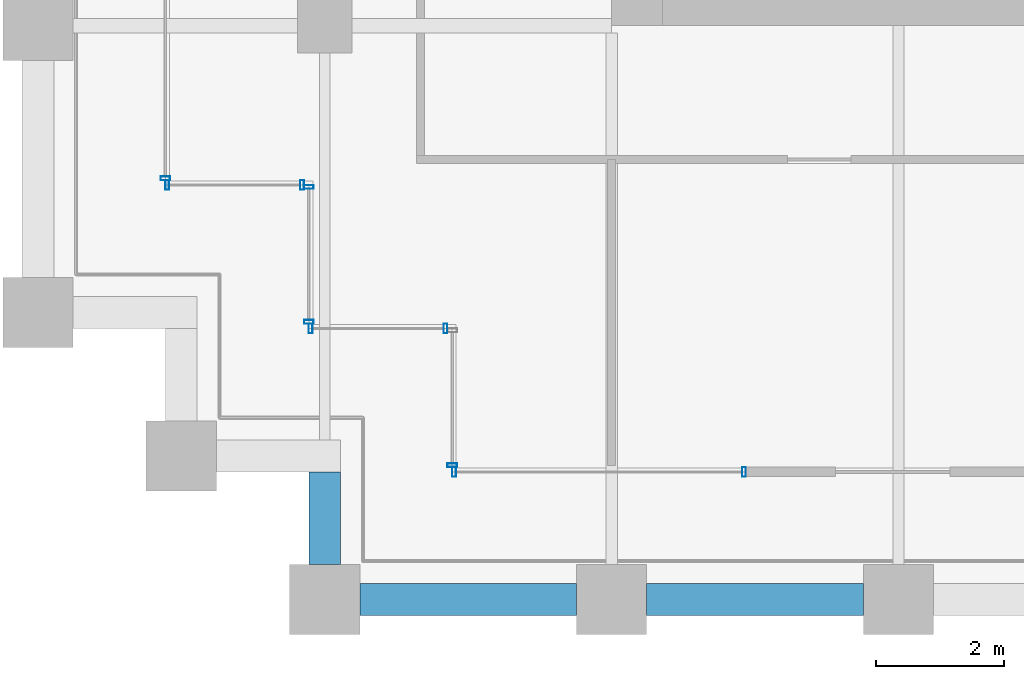
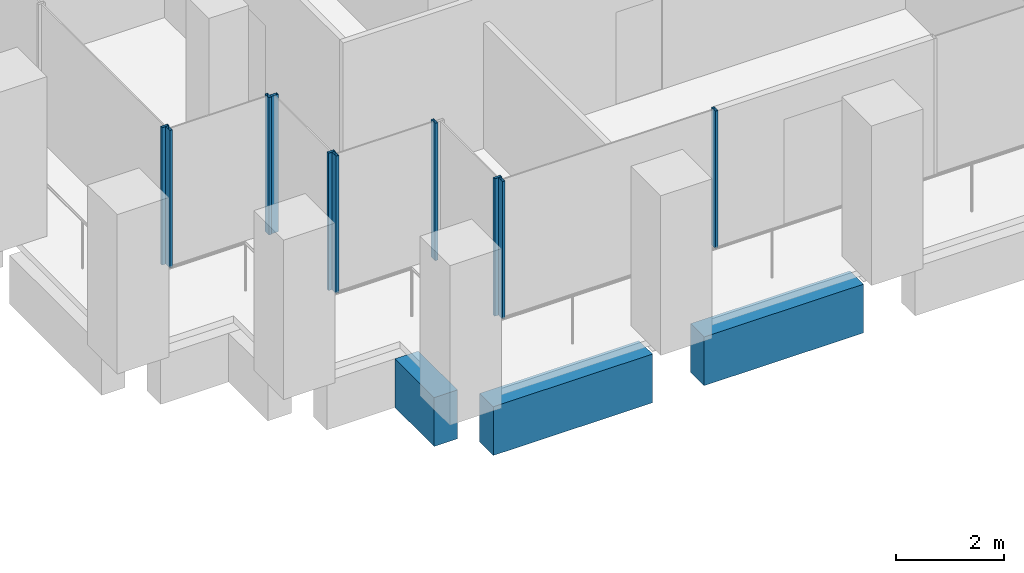
# One storey, part 34 of 56: 10 members, 3 beams, 6 elements without a shape of their own.
"""IFC4 building model written with IfcOpenShell, lengths in metres."""

from ifc_helpers import new_model, si_unit, direction, frame, origin, origin_2d, place, context, subcontext, project, spatial, rectangle, hollow_rectangle, extrude, material, material_profile, profile_set, type_object, element, aggregate, save


model = new_model("IFC4")

# Units and contexts
model_context = context("Model", 3, precision=1e-05, world=origin(), true_north=direction((0.0, 1.0)))
body_context = subcontext(model_context, "Body", "Model", "MODEL_VIEW")
ifc_project = project(units=[si_unit("LENGTHUNIT", "METRE"), si_unit("AREAUNIT", "SQUARE_METRE"), si_unit("VOLUMEUNIT", "CUBIC_METRE"), si_unit("PLANEANGLEUNIT", "RADIAN"), si_unit("MASSUNIT", "GRAM", prefix="KILO")], contexts=[model_context])

# Site, building, storey
site_placement = place(None, origin())
site = spatial("IfcSite", under=ifc_project, at=site_placement, CompositionType="ELEMENT")
building_placement = place(site_placement, origin())
building = spatial("IfcBuilding", under=site, at=building_placement, Name="Altepetl Exchange Towers", CompositionType="ELEMENT")
storey_placement = place(building_placement, frame((0.0, 0.0, 69.0)))
storey = spatial("IfcBuildingStorey", under=building, at=storey_placement, Name="L16", CompositionType="ELEMENT", Elevation=69.0)

# Curtain wall, member
ifc_material_1 = material(Name="Aluminium 6063-T6 glazing", Category="aluminium")
curtain_wall_type = type_object("IfcCurtainWallType", Name="Loggia glazing system", PredefinedType="NOTDEFINED", material=ifc_material_1)
curtain_wall_1_placement = place(storey_placement, origin())
curtain_wall_1 = element("IfcCurtainWall", 1, at=curtain_wall_1_placement, inside=storey, type_object=curtain_wall_type, Name="CW1 run", PredefinedType="NOTDEFINED")
ifc_material_2 = material(Name="Aluminium 6063-T6", Category="aluminium")
ifc_material_profile_1 = material_profile(ifc_material_2, hollow_rectangle(XDim=0.06005859375, YDim=0.14990234375, WallThickness=0.0029296875, at=origin_2d()), Name="Mullion 60x150 aluminium")
ifc_profile_set_1 = profile_set([ifc_material_profile_1], Name="Aluminium 6063-T6")
member_type = type_object("IfcMemberType", Name="Mullion 60x150 aluminium", PredefinedType="MULLION", material=ifc_profile_set_1)
member_1_placement = place(storey_placement, frame((96.5, 33.60498046875, 0.0), z_axis=(0.0, 0.0, 1.0), x_axis=(0.0, -1.0, 0.0)))
member_1 = element("IfcMember", 2, at=member_1_placement, type_object=member_type, Name="MU1 mullion", PredefinedType="MULLION", context=body_context, shape_type="SweptSolid", body=[
    extrude(hollow_rectangle(XDim=0.06005859375, YDim=0.14990234375, WallThickness=0.0029296875, at=origin_2d()), origin(), (0.0, 0.0, 1.0), 3.10009765625),
])
aggregate(curtain_wall_1, [member_1])

# Curtain wall, members
curtain_wall_2_placement = place(storey_placement, origin())
curtain_wall_2 = element("IfcCurtainWall", 3, at=curtain_wall_2_placement, inside=storey, type_object=curtain_wall_type, Name="CW1 run", PredefinedType="NOTDEFINED")
member_2_placement = place(storey_placement, frame((96.530029296875, 33.5, 0.0)))
member_2 = element("IfcMember", 4, at=member_2_placement, type_object=member_type, Name="MU1 mullion", PredefinedType="MULLION", context=body_context, shape_type="SweptSolid", body=[
    extrude(hollow_rectangle(XDim=0.06005859375, YDim=0.14990234375, WallThickness=0.0029296875, at=origin_2d()), origin(), (0.0, 0.0, 1.0), 3.10009765625),
])
member_3_placement = place(storey_placement, frame((98.64501953125, 33.5, 0.0)))
member_3 = element("IfcMember", 5, at=member_3_placement, type_object=member_type, Name="MU1 mullion", PredefinedType="MULLION", context=body_context, shape_type="SweptSolid", body=[
    extrude(hollow_rectangle(XDim=0.06005859375, YDim=0.14990234375, WallThickness=0.0029296875, at=origin_2d()), origin(), (0.0, 0.0, 1.0), 3.10009765625),
])
aggregate(curtain_wall_2, [member_2, member_3])

curtain_wall_3_placement = place(storey_placement, origin())
curtain_wall_3 = element("IfcCurtainWall", 6, at=curtain_wall_3_placement, inside=storey, type_object=curtain_wall_type, Name="CW1 run", PredefinedType="NOTDEFINED")
member_4_placement = place(storey_placement, frame((98.75, 33.469970703125, 0.0), z_axis=(0.0, 0.0, 1.0), x_axis=(0.0, -1.0, 0.0)))
member_4 = element("IfcMember", 7, at=member_4_placement, type_object=member_type, Name="MU1 mullion", PredefinedType="MULLION", context=body_context, shape_type="SweptSolid", body=[
    extrude(hollow_rectangle(XDim=0.06005859375, YDim=0.14990234375, WallThickness=0.0029296875, at=origin_2d()), origin(), (0.0, 0.0, 1.0), 3.10009765625),
])
member_5_placement = place(storey_placement, frame((98.75, 31.35498046875, 0.0), z_axis=(0.0, 0.0, 1.0), x_axis=(0.0, -1.0, 0.0)))
member_5 = element("IfcMember", 8, at=member_5_placement, type_object=member_type, Name="MU1 mullion", PredefinedType="MULLION", context=body_context, shape_type="SweptSolid", body=[
    extrude(hollow_rectangle(XDim=0.06005859375, YDim=0.14990234375, WallThickness=0.0029296875, at=origin_2d()), origin(), (0.0, 0.0, 1.0), 3.10009765625),
])
aggregate(curtain_wall_3, [member_4, member_5])

curtain_wall_4_placement = place(storey_placement, origin())
curtain_wall_4 = element("IfcCurtainWall", 9, at=curtain_wall_4_placement, inside=storey, type_object=curtain_wall_type, Name="CW1 run", PredefinedType="NOTDEFINED")
member_6_placement = place(storey_placement, frame((98.780029296875, 31.25, 0.0)))
member_6 = element("IfcMember", 10, at=member_6_placement, type_object=member_type, Name="MU1 mullion", PredefinedType="MULLION", context=body_context, shape_type="SweptSolid", body=[
    extrude(hollow_rectangle(XDim=0.06005859375, YDim=0.14990234375, WallThickness=0.0029296875, at=origin_2d()), origin(), (0.0, 0.0, 1.0), 3.10009765625),
])
member_7_placement = place(storey_placement, frame((100.89501953125, 31.25, 0.0)))
member_7 = element("IfcMember", 11, at=member_7_placement, type_object=member_type, Name="MU1 mullion", PredefinedType="MULLION", context=body_context, shape_type="SweptSolid", body=[
    extrude(hollow_rectangle(XDim=0.06005859375, YDim=0.14990234375, WallThickness=0.0029296875, at=origin_2d()), origin(), (0.0, 0.0, 1.0), 3.10009765625),
])
aggregate(curtain_wall_4, [member_6, member_7])

# Curtain wall, member
curtain_wall_5_placement = place(storey_placement, origin())
curtain_wall_5 = element("IfcCurtainWall", 12, at=curtain_wall_5_placement, inside=storey, type_object=curtain_wall_type, Name="CW1 run", PredefinedType="NOTDEFINED")
member_8_placement = place(storey_placement, frame((101.0, 29.10498046875, 0.0), z_axis=(0.0, 0.0, 1.0), x_axis=(0.0, -1.0, 0.0)))
member_8 = element("IfcMember", 13, at=member_8_placement, type_object=member_type, Name="MU1 mullion", PredefinedType="MULLION", context=body_context, shape_type="SweptSolid", body=[
    extrude(hollow_rectangle(XDim=0.06005859375, YDim=0.14990234375, WallThickness=0.0029296875, at=origin_2d()), origin(), (0.0, 0.0, 1.0), 3.10009765625),
])
aggregate(curtain_wall_5, [member_8])

# Curtain wall, members
curtain_wall_6_placement = place(storey_placement, origin())
curtain_wall_6 = element("IfcCurtainWall", 14, at=curtain_wall_6_placement, inside=storey, type_object=curtain_wall_type, Name="CW1 run", PredefinedType="NOTDEFINED")
member_9_placement = place(storey_placement, frame((101.030029296875, 29.0, 0.0)))
member_9 = element("IfcMember", 15, at=member_9_placement, type_object=member_type, Name="MU1 mullion", PredefinedType="MULLION", context=body_context, shape_type="SweptSolid", body=[
    extrude(hollow_rectangle(XDim=0.06005859375, YDim=0.14990234375, WallThickness=0.0029296875, at=origin_2d()), origin(), (0.0, 0.0, 1.0), 3.10009765625),
])
member_10_placement = place(storey_placement, frame((105.576171875, 29.0, 0.0)))
member_10 = element("IfcMember", 16, at=member_10_placement, type_object=member_type, Name="MU1 mullion", PredefinedType="MULLION", context=body_context, shape_type="SweptSolid", body=[
    extrude(hollow_rectangle(XDim=0.06005859375, YDim=0.14990234375, WallThickness=0.0029296875, at=origin_2d()), origin(), (0.0, 0.0, 1.0), 3.10009765625),
])
aggregate(curtain_wall_6, [member_9, member_10])

# Beams
ifc_material_3 = material(Name="Concrete C50/60 precast with tezontle facing", Category="concrete")
ifc_material_profile_2 = material_profile(ifc_material_3, rectangle(XDim=0.5, YDim=1.10009765625, at=origin_2d()), Name="500 x 1100")
ifc_profile_set_2 = profile_set([ifc_material_profile_2], Name="Concrete C50/60 precast with tezontle facing")
beam_type = type_object("IfcBeamType", Name="Spandrel beam 500x1100 tezontle", PredefinedType="SPANDREL", material=ifc_profile_set_2)
for number, where, z_axis, x_axis, name in (
    (17, (99.550048828125, 27.0, -0.699951171875), (1.0, 0.0, 0.0), (0.0, 1.0, 0.0), "sp:B:L16:000"),
    (18, (104.050048828125, 27.0, -0.699951171875), (1.0, 0.0, 0.0), (0.0, 1.0, 0.0), "sp:B:L16:001"),
):
    element("IfcBeam", number, at=place(storey_placement, frame(where, z_axis=z_axis, x_axis=x_axis)), inside=storey, type_object=beam_type, Name=name, PredefinedType="SPANDREL", context=body_context, shape_type="SweptSolid", body=[
        extrude(rectangle(XDim=0.5, YDim=1.10009765625, at=origin_2d()), origin(), (0.0, 0.0, 1.0), 3.39990234375),
    ])
beam_placement = place(storey_placement, frame((99.0, 29.0, -0.699951171875), z_axis=(0.0, -1.0, 0.0), x_axis=(1.0, 0.0, 0.0)))
element("IfcBeam", 19, at=beam_placement, inside=storey, type_object=beam_type, Name="sp:B:L16:035", PredefinedType="SPANDREL", context=body_context, shape_type="SweptSolid", body=[
    extrude(rectangle(XDim=0.5, YDim=1.10009765625, at=origin_2d()), origin(), (0.0, 0.0, 1.0), 1.449951171875),
])

save(model, "model.ifc")
